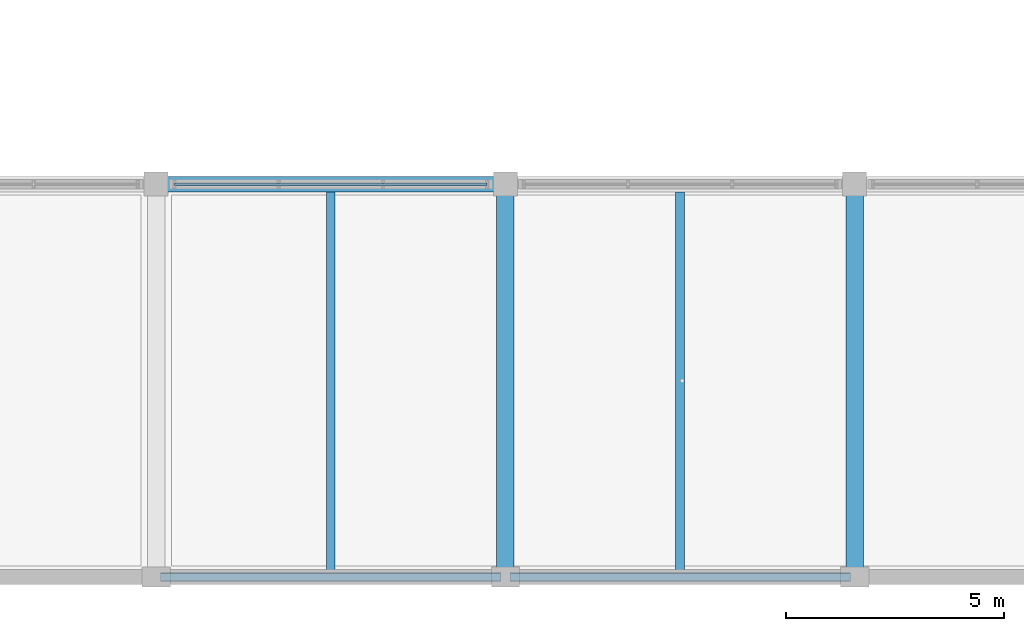
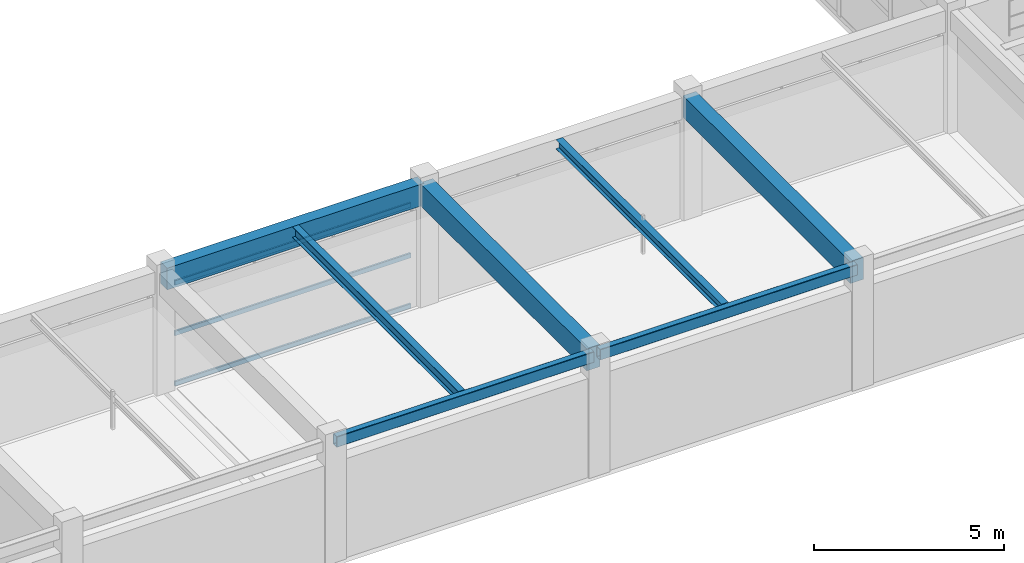
# One storey, part 15 of 63: 7 beams, 3 members, 1 element without a shape of its own.
"""IFC4 building model written with IfcOpenShell, lengths in metres."""

from ifc_helpers import new_model, si_unit, direction, frame, origin, origin_2d, place, context, subcontext, project, spatial, rectangle, hollow_rectangle, i_section, extrude, material, material_profile, profile_set, type_object, element, aggregate, save


model = new_model("IFC4")

# Units and contexts
model_context = context("Model", 3, precision=1e-05, world=origin(), true_north=direction((0.0, 1.0)))
body_context = subcontext(model_context, "Body", "Model", "MODEL_VIEW")
ifc_project = project(units=[si_unit("LENGTHUNIT", "METRE"), si_unit("AREAUNIT", "SQUARE_METRE"), si_unit("VOLUMEUNIT", "CUBIC_METRE"), si_unit("PLANEANGLEUNIT", "RADIAN"), si_unit("MASSUNIT", "GRAM", prefix="KILO")], contexts=[model_context])

# Site, building, storey
site_placement = place(None, origin())
site = spatial("IfcSite", under=ifc_project, at=site_placement, CompositionType="ELEMENT")
building_placement = place(site_placement, origin())
building = spatial("IfcBuilding", under=site, at=building_placement, Name="Varnabhumi Central Station", CompositionType="ELEMENT")
storey_placement = place(building_placement, frame((0.0, 0.0, 20.39990234375)))
storey = spatial("IfcBuildingStorey", under=building, at=storey_placement, Name="L04", CompositionType="ELEMENT", Elevation=20.39990234375)

# Beams
ifc_material_1 = material(Name="Concrete M40", Category="concrete")
ifc_material_profile_1 = material_profile(ifc_material_1, rectangle(XDim=0.35009765625, YDim=0.699951171875, at=origin_2d()), Name="Concrete M40", Category="concrete")
ifc_profile_set_1 = profile_set([ifc_material_profile_1], Name="Concrete M40")
beam_type_1 = type_object("IfcBeamType", Name="BM-RC-350x700", PredefinedType="BEAM", material=ifc_profile_set_1)
beam_1_placement = place(storey_placement, frame((120.10009765625, 9.0, 3.570068359375), z_axis=(1.0, 0.0, 0.0), x_axis=(0.0, 1.0, 0.0)))
element("IfcBeam", 1, at=beam_1_placement, inside=storey, type_object=beam_type_1, Name="Beam L04-B:16-17", PredefinedType="BEAM", context=body_context, shape_type="SweptSolid", body=[
    extrude(rectangle(XDim=0.35009765625, YDim=0.699951171875, at=origin_2d()), origin(), (0.0, 0.0, 1.0), 7.7998046875),
])
ifc_material_profile_2 = material_profile(ifc_material_1, rectangle(XDim=0.39990234375, YDim=0.699951171875, at=origin_2d()), Name="Concrete M40", Category="concrete")
ifc_profile_set_2 = profile_set([ifc_material_profile_2], Name="Concrete M40")
beam_type_2 = type_object("IfcBeamType", Name="BM-RC-700x400", PredefinedType="BEAM", material=ifc_profile_set_2)
for number, where, z_axis, x_axis, name in (
    (2, (128.0, 0.10009765625, 3.570068359375), (0.0, 1.0, 0.0), (-1.0, 0.0, 0.0), "Beam L04-17:A-B"),
    (3, (136.0, 0.10009765625, 3.570068359375), (0.0, 1.0, 0.0), (-1.0, 0.0, 0.0), "Beam L04-18:A-B"),
):
    element("IfcBeam", number, at=place(storey_placement, frame(where, z_axis=z_axis, x_axis=x_axis)), inside=storey, type_object=beam_type_2, Name=name, PredefinedType="BEAM", context=body_context, shape_type="SweptSolid", body=[
        extrude(rectangle(XDim=0.39990234375, YDim=0.699951171875, at=origin_2d()), origin(), (0.0, 0.0, 1.0), 8.7998046875),
    ])
ifc_material_2 = material(Name="Structural steel E350", Category="steel")
ifc_material_profile_3 = material_profile(ifc_material_2, i_section(OverallWidth=0.199951171875, OverallDepth=0.300048828125, WebThickness=0.00732421875, FlangeThickness=0.010009765625, FilletRadius=0.010986328125, at=origin_2d()), Name="Structural steel E350", Category="steel")
ifc_profile_set_3 = profile_set([ifc_material_profile_3], Name="Structural steel E350")
beam_type_3 = type_object("IfcBeamType", Name="BM-STL-ISWB300", PredefinedType="JOIST", material=ifc_profile_set_3)
beam_2_placement = place(storey_placement, frame((132.0, 0.10009765625, 3.77001953125), z_axis=(0.0, 1.0, 0.0), x_axis=(-1.0, 0.0, 0.0)))
element("IfcBeam", 4, at=beam_2_placement, inside=storey, type_object=beam_type_3, Name="Secondary Joist L04-17/18:A-B", PredefinedType="JOIST", context=body_context, shape_type="SweptSolid", body=[
    extrude(i_section(OverallWidth=0.199951171875, OverallDepth=0.300048828125, WebThickness=0.00732421875, FlangeThickness=0.010009765625, FilletRadius=0.010986328125, at=origin_2d()), origin(), (0.0, 0.0, 1.0), 8.724853515625),
])
ifc_material_profile_4 = material_profile(ifc_material_2, i_section(OverallWidth=0.199951171875, OverallDepth=0.35009765625, WebThickness=0.008056640625, FlangeThickness=0.011474609375, FilletRadius=0.011962890625, at=origin_2d()), Name="Structural steel E350", Category="steel")
ifc_profile_set_4 = profile_set([ifc_material_profile_4], Name="Structural steel E350")
beam_type_4 = type_object("IfcBeamType", Name="BM-STL-ISWB350", PredefinedType="JOIST", material=ifc_profile_set_4)
beam_3_placement = place(storey_placement, frame((124.0, 0.10009765625, 3.7451171875), z_axis=(0.0, 1.0, 0.0), x_axis=(-1.0, 0.0, 0.0)))
element("IfcBeam", 5, at=beam_3_placement, inside=storey, type_object=beam_type_4, Name="Secondary Joist L04-16/17:A-B", PredefinedType="JOIST", context=body_context, shape_type="SweptSolid", body=[
    extrude(i_section(OverallWidth=0.199951171875, OverallDepth=0.35009765625, WebThickness=0.008056640625, FlangeThickness=0.011474609375, FilletRadius=0.011962890625, at=origin_2d()), origin(), (0.0, 0.0, 1.0), 8.724853515625),
])
ifc_material_profile_5 = material_profile(ifc_material_2, hollow_rectangle(XDim=0.199951171875, YDim=0.35009765625, WallThickness=0.011962890625, InnerFilletRadius=0.011962890625, OuterFilletRadius=0.02392578125, at=origin_2d()), Name="Structural steel E350", Category="steel")
ifc_profile_set_5 = profile_set([ifc_material_profile_5], Name="Structural steel E350")
beam_type_5 = type_object("IfcBeamType", Name="BM-STL-RHS350", PredefinedType="SPANDREL", material=ifc_profile_set_5)
for number, where, z_axis, x_axis, name in (
    (6, (120.10009765625, 0.0, 3.7451171875), (1.0, 0.0, 0.0), (0.0, 1.0, 0.0), "Beam L04-A:16-17"),
    (7, (128.10009765625, 0.0, 3.7451171875), (1.0, 0.0, 0.0), (0.0, 1.0, 0.0), "Beam L04-A:17-18"),
):
    element("IfcBeam", number, at=place(storey_placement, frame(where, z_axis=z_axis, x_axis=x_axis)), inside=storey, type_object=beam_type_5, Name=name, PredefinedType="SPANDREL", context=body_context, shape_type="SweptSolid", body=[
        extrude(hollow_rectangle(XDim=0.199951171875, YDim=0.35009765625, WallThickness=0.011962890625, InnerFilletRadius=0.011962890625, OuterFilletRadius=0.02392578125, at=origin_2d()), origin(), (0.0, 0.0, 1.0), 7.7998046875),
    ])

# Curtain wall, members
ifc_material_3 = material(Name="Anodised aluminium 6063-T6", Category="aluminium")
curtain_wall_type = type_object("IfcCurtainWallType", Name="CW-PATIO-LOGGIA-L3", PredefinedType="NOTDEFINED", material=ifc_material_3)
curtain_wall_placement = place(storey_placement, origin())
curtain_wall = element("IfcCurtainWall", 8, at=curtain_wall_placement, inside=storey, type_object=curtain_wall_type, Name="Curtain Wall CW-SP4S2", PredefinedType="NOTDEFINED")
ifc_material_profile_6 = material_profile(ifc_material_3, hollow_rectangle(XDim=0.06005859375, YDim=0.14990234375, WallThickness=0.00390625, InnerFilletRadius=0.001953125, OuterFilletRadius=0.006103515625, at=origin_2d()), Name="Anodised aluminium 6063-T6", Category="aluminium")
ifc_profile_set_6 = profile_set([ifc_material_profile_6], Name="Anodised aluminium 6063-T6")
member_type = type_object("IfcMemberType", Name="CW-TR-150", PredefinedType="USERDEFINED", material=ifc_profile_set_6)
member_1_placement = place(storey_placement, frame((120.419921875, 9.0, 0.0), z_axis=(1.0, 0.0, 0.0), x_axis=(0.0, 1.0, 0.0)))
member_1 = element("IfcMember", 9, at=member_1_placement, type_object=member_type, Name="Curtain Wall Transom CW-SP4S2-T1", ObjectType="TRANSOM", PredefinedType="USERDEFINED", context=body_context, shape_type="SweptSolid", body=[
    extrude(hollow_rectangle(XDim=0.06005859375, YDim=0.14990234375, WallThickness=0.00390625, InnerFilletRadius=0.001953125, OuterFilletRadius=0.006103515625, at=origin_2d()), origin(), (0.0, 0.0, 1.0), 7.16015625),
])
member_2_placement = place(storey_placement, frame((120.419921875, 9.0, 1.6201171875), z_axis=(1.0, 0.0, 0.0), x_axis=(0.0, 1.0, 0.0)))
member_2 = element("IfcMember", 10, at=member_2_placement, type_object=member_type, Name="Curtain Wall Transom CW-SP4S2-T2", ObjectType="TRANSOM", PredefinedType="USERDEFINED", context=body_context, shape_type="SweptSolid", body=[
    extrude(hollow_rectangle(XDim=0.06005859375, YDim=0.14990234375, WallThickness=0.00390625, InnerFilletRadius=0.001953125, OuterFilletRadius=0.006103515625, at=origin_2d()), origin(), (0.0, 0.0, 1.0), 7.16015625),
])
member_3_placement = place(storey_placement, frame((120.419921875, 9.0, 3.239990234375), z_axis=(1.0, 0.0, 0.0), x_axis=(0.0, 1.0, 0.0)))
member_3 = element("IfcMember", 11, at=member_3_placement, type_object=member_type, Name="Curtain Wall Transom CW-SP4S2-T3", ObjectType="TRANSOM", PredefinedType="USERDEFINED", context=body_context, shape_type="SweptSolid", body=[
    extrude(hollow_rectangle(XDim=0.06005859375, YDim=0.14990234375, WallThickness=0.00390625, InnerFilletRadius=0.001953125, OuterFilletRadius=0.006103515625, at=origin_2d()), origin(), (0.0, 0.0, 1.0), 7.16015625),
])
aggregate(curtain_wall, [member_1, member_2, member_3])

save(model, "model.ifc")
